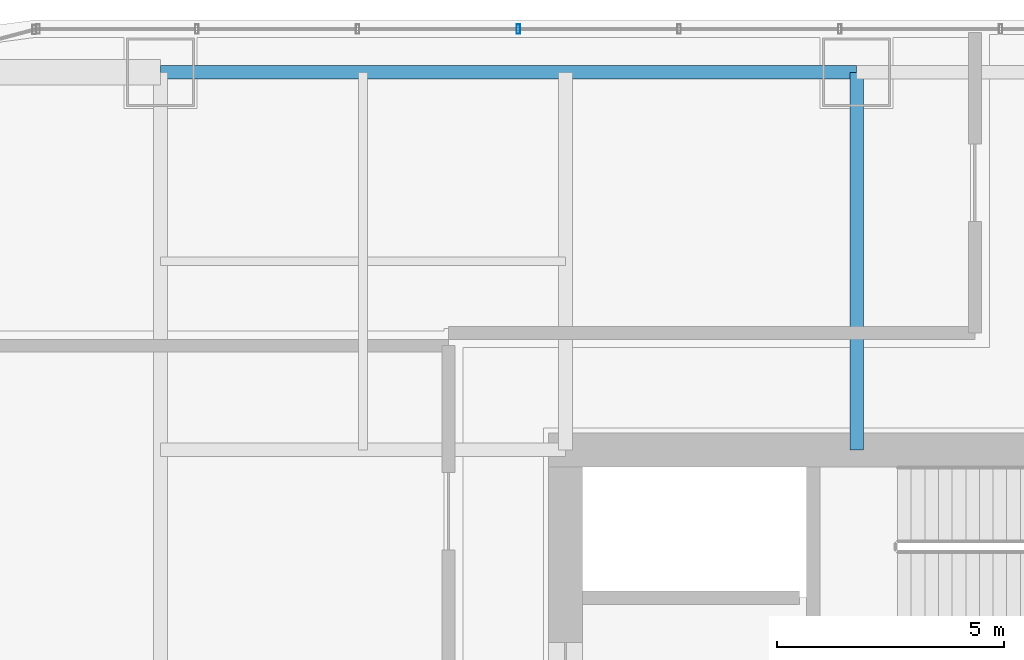
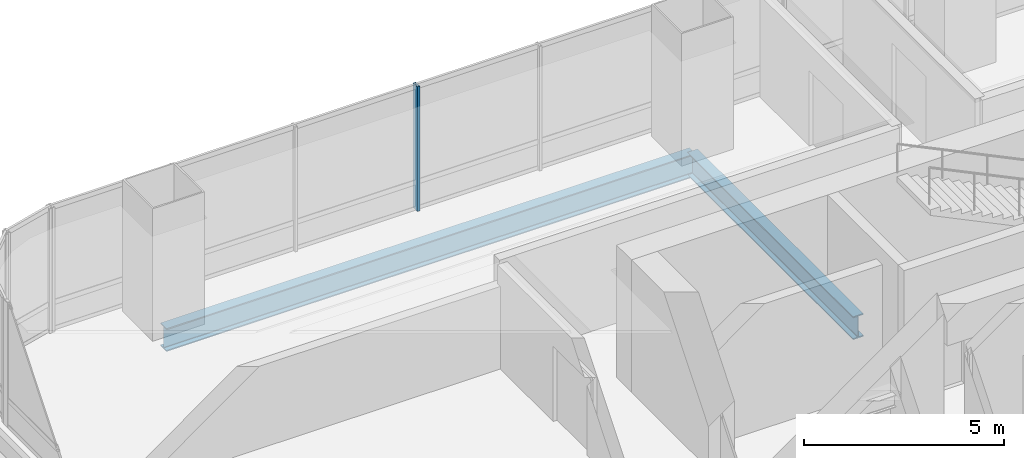
# One storey, part 20 of 36: 2 beams, 1 member, 1 element without a shape of its own.
"""IFC4 building model written with IfcOpenShell, lengths in metres."""

from ifc_helpers import new_model, si_unit, direction, frame, origin, origin_2d, place, context, subcontext, project, spatial, hollow_rectangle, i_section, extrude, material, material_profile, profile_set, type_object, element, aggregate, save


model = new_model("IFC4")

# Units and contexts
model_context = context("Model", 3, precision=1e-05, world=origin(), true_north=direction((0.0, 1.0)))
body_context = subcontext(model_context, "Body", "Model", "MODEL_VIEW")
ifc_project = project(units=[si_unit("LENGTHUNIT", "METRE"), si_unit("AREAUNIT", "SQUARE_METRE"), si_unit("VOLUMEUNIT", "CUBIC_METRE"), si_unit("PLANEANGLEUNIT", "RADIAN"), si_unit("MASSUNIT", "GRAM", prefix="KILO")], contexts=[model_context])

# Site, building, storey
site_placement = place(None, origin())
site = spatial("IfcSite", under=ifc_project, at=site_placement, CompositionType="ELEMENT")
building_placement = place(site_placement, origin())
building = spatial("IfcBuilding", under=site, at=building_placement, Name="Punatoya Terracotta Tower", CompositionType="ELEMENT")
storey_placement = place(building_placement, frame((0.0, 0.0, 48.449951171875)))
storey = spatial("IfcBuildingStorey", under=building, at=storey_placement, Name="L10", CompositionType="ELEMENT", Elevation=48.449951171875)

# Beams
ifc_material_1 = material(Name="Steel S355", Category="steel")
ifc_material_profile_1 = material_profile(ifc_material_1, i_section(OverallWidth=0.300048828125, OverallDepth=0.699951171875, WebThickness=0.01708984375, FlangeThickness=0.031982421875, FilletRadius=0.01806640625, at=origin_2d()))
ifc_profile_set_1 = profile_set([ifc_material_profile_1], Name="Steel S355")
beam_type = type_object("IfcBeamType", Name="BM-PRI-700", PredefinedType="BEAM", material=ifc_profile_set_1)
beam_1_placement = place(storey_placement, frame((-19.10009765625, 17.5, -0.58984375), z_axis=(1.0, 0.0, 0.0), x_axis=(0.0, 1.0, 0.0)))
element("IfcBeam", 1, at=beam_1_placement, inside=storey, type_object=beam_type, Name="BM-L10-RG-N1", PredefinedType="BEAM", context=body_context, shape_type="SweptSolid", body=[
    extrude(i_section(OverallWidth=0.300048828125, OverallDepth=0.699951171875, WebThickness=0.01708984375, FlangeThickness=0.031982421875, FilletRadius=0.01806640625, at=origin_2d()), origin(), (0.0, 0.0, 1.0), 15.300048828125),
])
beam_2_placement = place(storey_placement, frame((-3.800048828125, 9.199951171875, -0.58984375), z_axis=(0.0, 1.0, 0.0), x_axis=(-1.0, 0.0, 0.0)))
element("IfcBeam", 2, at=beam_2_placement, inside=storey, type_object=beam_type, Name="BM-L10-PR-N2", PredefinedType="BEAM", context=body_context, shape_type="SweptSolid", body=[
    extrude(i_section(OverallWidth=0.300048828125, OverallDepth=0.699951171875, WebThickness=0.01708984375, FlangeThickness=0.031982421875, FilletRadius=0.01806640625, at=origin_2d()), origin(), (0.0, 0.0, 1.0), 8.300048828125),
])

# Curtain wall, member
ifc_material_2 = material(Name="Aluminium 6063-T6 + Double Low-E Glass", Category="aluminium")
curtain_wall_type = type_object("IfcCurtainWallType", Name="CW-M1", PredefinedType="NOTDEFINED", material=ifc_material_2)
curtain_wall_placement = place(storey_placement, origin())
curtain_wall = element("IfcCurtainWall", 3, at=curtain_wall_placement, inside=storey, type_object=curtain_wall_type, Name="L10 Curtain Wall CW-L10-N09-1", PredefinedType="NOTDEFINED")
ifc_material_3 = material(Name="Aluminium 6063-T6", Category="aluminium")
ifc_material_profile_2 = material_profile(ifc_material_3, hollow_rectangle(XDim=0.074951171875, YDim=0.2099609375, WallThickness=0.00439453125, at=origin_2d()))
ifc_profile_set_2 = profile_set([ifc_material_profile_2], Name="Aluminium 6063-T6")
member_type = type_object("IfcMemberType", Name="CW-MUL-M1", PredefinedType="MULLION", material=ifc_profile_set_2)
member_placement = place(storey_placement, frame((-11.235107421875, 18.449951171875, 0.0), z_axis=(0.0, 0.0, 1.0), x_axis=(1.0, 0.0, 0.0)))
member = element("IfcMember", 4, at=member_placement, type_object=member_type, Name="CW-L10-N09-1 Mullion 08", PredefinedType="MULLION", context=body_context, shape_type="SweptSolid", body=[
    extrude(hollow_rectangle(XDim=0.074951171875, YDim=0.2099609375, WallThickness=0.00439453125, at=origin_2d()), origin(), (0.0, 0.0, 1.0), 3.81005859375),
])
aggregate(curtain_wall, [member])

save(model, "model.ifc")
